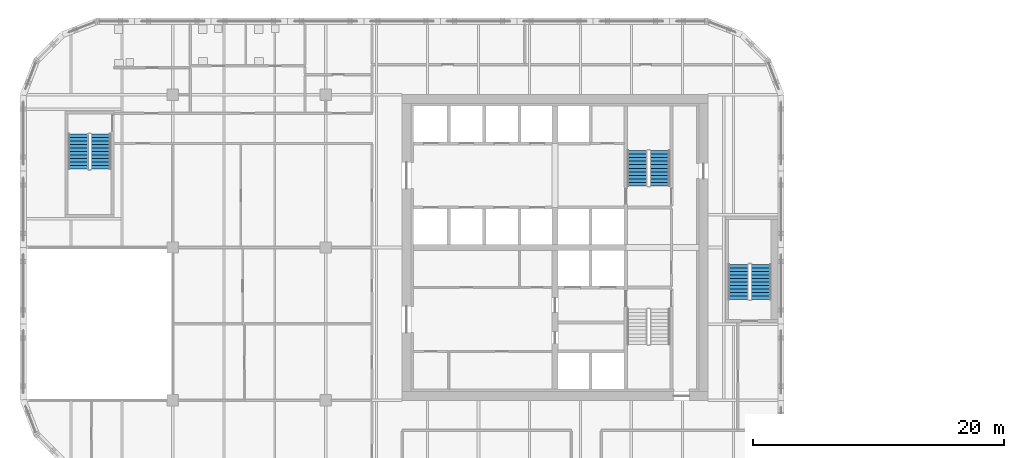
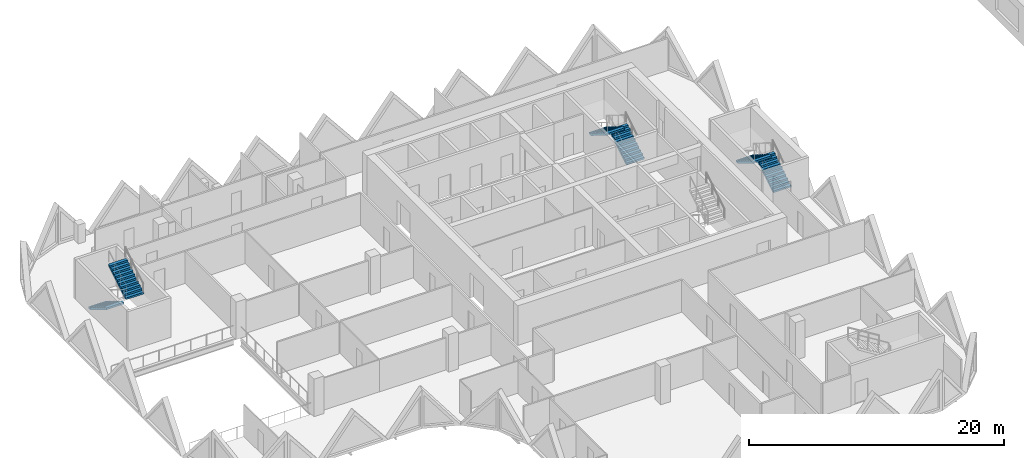
# One storey, part 14 of 17: 6 stair flights, 3 elements without a shape of their own.
"""IFC4 building model written with IfcOpenShell, lengths in metres."""

import ifcopenshell
import ifcopenshell.guid

model = None  # the IFC model being written
_history = None  # IfcOwnerHistory: only IFC2X3 demands one
_inside = {}  # id of a spatial element -> (the spatial element, [elements in it])
_under = {}  # id of a project, library or spatial element -> (it, [spatial elements below it])
_declared = {}  # id of a project -> (the project, [libraries it declares])
_typed = {}  # id of a type object -> (the type object, [elements of that type])
_made_of = {}  # id of a material, layer set ... -> (it, [elements and type objects made of it])


def new_model(schema):
    """Start an empty IFC model of exactly this schema.

    Asked for "IFC4X3", IfcOpenShell would pick the latest addendum, in which some entities
    have other attributes; the version numbers below select the first issue.
    IFC2X3 requires an IfcOwnerHistory on every rooted entity: one is made here for all.
    """
    global model, _history
    if schema == "IFC4X3":
        model = ifcopenshell.file(schema_version=(4, 3, 0, 0))
    else:
        model = ifcopenshell.file(schema=schema)
    _inside.clear()
    _under.clear()
    _declared.clear()
    _typed.clear()
    _made_of.clear()
    _history = None
    if model.schema == "IFC2X3":
        org = make("IfcOrganization", Name="unknown")
        user = make(
            "IfcPersonAndOrganization",
            ThePerson=make("IfcPerson", FamilyName="unknown"),
            TheOrganization=org,
        )
        app = make(
            "IfcApplication",
            ApplicationDeveloper=org,
            Version="unknown",
            ApplicationFullName="unknown",
            ApplicationIdentifier="unknown",
        )
        _history = make(
            "IfcOwnerHistory",
            OwningUser=user,
            OwningApplication=app,
            ChangeAction="ADDED",
            CreationDate=0,
        )
    return model


def make(cls, **values):
    """One entity of the class cls with the attributes given. An attribute that is None is left unset."""
    return model.create_entity(
        cls, **{name: value for name, value in values.items() if value is not None}
    )


def rooted(cls, **values):
    """An entity with a GlobalId (a new one), such as an element, a storey or a relation."""
    return make(cls, GlobalId=ifcopenshell.guid.new(), OwnerHistory=_history, **values)


def si_unit(unit_type, name, prefix=None):
    """IfcSIUnit, for example si_unit("LENGTHUNIT", "METRE", prefix="MILLI")."""
    return make("IfcSIUnit", UnitType=unit_type, Prefix=prefix, Name=name)


def assignment(units):
    """IfcUnitAssignment: the units of a project."""
    return None if units is None else make("IfcUnitAssignment", Units=units)


def point(xyz):
    """IfcCartesianPoint."""
    return None if xyz is None else make("IfcCartesianPoint", Coordinates=xyz)


def direction(xyz):
    """IfcDirection."""
    return None if xyz is None else make("IfcDirection", DirectionRatios=xyz)


def frame(location, z_axis=None, x_axis=None):
    """IfcAxis2Placement3D, a coordinate frame: its origin and axes. An axis left out is left unset."""
    return make(
        "IfcAxis2Placement3D",
        Location=point(location),
        Axis=direction(z_axis),
        RefDirection=direction(x_axis),
    )


def origin():
    """The frame at (0, 0, 0) with its axes left unset."""
    return frame((0.0, 0.0, 0.0))


def place(relative_to, where):
    """IfcLocalPlacement: puts the frame where relative to a parent placement (None: the world)."""
    return make(
        "IfcLocalPlacement", PlacementRelTo=relative_to, RelativePlacement=where
    )


def context(
    kind, dimensions, precision=None, world=None, true_north=None, identifier=None
):
    """IfcGeometricRepresentationContext, for example the 3D "Model" context."""
    return make(
        "IfcGeometricRepresentationContext",
        ContextIdentifier=identifier,
        ContextType=kind,
        CoordinateSpaceDimension=dimensions,
        Precision=precision,
        WorldCoordinateSystem=world,
        TrueNorth=true_north,
    )


def subcontext(parent, identifier, kind, view, scale=None):
    """IfcGeometricRepresentationSubContext, for example "Body" below "Model"."""
    return make(
        "IfcGeometricRepresentationSubContext",
        ContextIdentifier=identifier,
        ContextType=kind,
        ParentContext=parent,
        TargetScale=scale,
        TargetView=view,
    )


def project(units=None, contexts=None):
    """IfcProject with its units and contexts."""
    return rooted(
        "IfcProject",
        Name="project",
        RepresentationContexts=contexts,
        UnitsInContext=assignment(units),
    )


def spatial(cls, under=None, at=None, **own):
    """A site, building, storey or space (cls), placed at a placement, below another one or the project."""
    s = rooted(cls, ObjectPlacement=at, **own)
    if under is not None:
        _under.setdefault(under.id(), (under, []))[1].append(s)
    return s


def polyline(points):
    """IfcPolyline through the points."""
    return make("IfcPolyline", Points=[point(p) for p in points])


def outline(outer, holes=None, kind="AREA"):
    """IfcArbitraryClosedProfileDef: a profile drawn as a closed curve; with holes, ...WithVoids."""
    if holes is None:
        return make("IfcArbitraryClosedProfileDef", ProfileType=kind, OuterCurve=outer)
    return make(
        "IfcArbitraryProfileDefWithVoids",
        ProfileType=kind,
        OuterCurve=outer,
        InnerCurves=holes,
    )


def extrude(swept, where, along, depth):
    """IfcExtrudedAreaSolid: the profile swept, set in the frame where, extruded along a direction by depth."""
    return make(
        "IfcExtrudedAreaSolid",
        SweptArea=swept,
        Position=where,
        ExtrudedDirection=direction(along),
        Depth=depth,
    )


def shape(context_of_items, identifier, shape_type, items):
    """IfcShapeRepresentation: the items that make up one representation, for example the "Body"."""
    return make(
        "IfcShapeRepresentation",
        ContextOfItems=context_of_items,
        RepresentationIdentifier=identifier,
        RepresentationType=shape_type,
        Items=items,
    )


def material(Name=None, Category=None):
    """IfcMaterial."""
    return make("IfcMaterial", Name=Name, Category=Category)


def made_of(thing, what):
    """Note that an element or type object is made of a material, layer set ...; save() writes the relation."""
    if what is not None:
        _made_of.setdefault(what.id(), (what, []))[1].append(thing)
    return thing


def type_object(cls, material=None, **own):
    """A type object (cls), such as IfcWallType, which elements share."""
    return made_of(rooted(cls, **own), material)


def element(
    cls,
    number,
    at=None,
    inside=None,
    cuts=None,
    type_object=None,
    material=None,
    context=None,
    identifier="Body",
    shape_type=None,
    held_by="IfcProductDefinitionShape",
    body=None,
    shapes=None,
    **own,
):
    """One element of the class cls, such as IfcWall. Its Tag is "e" and its number.

    at: its placement. inside: the storey or other place that contains it. cuts: it is an
    opening in that element (IfcRelVoidsElement). A single representation is given by context,
    identifier, shape_type and body (its items); several are given by shapes. held_by: the class
    of the entity that holds the representations. save() writes the other relations.
    """
    e = rooted(cls, Tag="e%d" % number, ObjectPlacement=at, **own)
    if body is not None:
        shapes = [shape(context, identifier, shape_type, body)]
    if shapes is not None:
        e.Representation = make(held_by, Representations=shapes)
    if inside is not None:
        _inside.setdefault(inside.id(), (inside, []))[1].append(e)
    if cuts is not None:
        rooted(
            "IfcRelVoidsElement", RelatingBuildingElement=cuts, RelatedOpeningElement=e
        )
    if type_object is not None:
        _typed.setdefault(type_object.id(), (type_object, []))[1].append(e)
    return made_of(e, material)


def aggregate(whole, parts):
    """IfcRelAggregates: a whole, such as a stair, and the parts it consists of."""
    return rooted("IfcRelAggregates", RelatingObject=whole, RelatedObjects=parts)


def save(model, path):
    """Write the relations noted so far, then the file.

    IfcRelAggregates (storeys below a building ...), IfcRelContainedInSpatialStructure (elements
    in a storey), IfcRelDefinesByType, IfcRelAssociatesMaterial and IfcRelDeclares: one each for
    every whole, place, type object, material and project.
    """
    for whole, parts in _under.values():
        aggregate(whole, parts)
    for where, things in _inside.values():
        rooted(
            "IfcRelContainedInSpatialStructure",
            RelatedElements=things,
            RelatingStructure=where,
        )
    for kind, things in _typed.values():
        rooted("IfcRelDefinesByType", RelatedObjects=things, RelatingType=kind)
    for what, things in _made_of.values():
        rooted("IfcRelAssociatesMaterial", RelatedObjects=things, RelatingMaterial=what)
    for by, libraries in _declared.values():
        rooted("IfcRelDeclares", RelatingContext=by, RelatedDefinitions=libraries)
    model.write(path)


model = new_model("IFC4")

# Units and contexts
model_context = context("Model", 3, precision=1e-05, world=origin(), true_north=direction((0.0, 1.0)))
body_context = subcontext(model_context, "Body", "Model", "MODEL_VIEW")
ifc_project = project(units=[si_unit("LENGTHUNIT", "METRE"), si_unit("AREAUNIT", "SQUARE_METRE"), si_unit("VOLUMEUNIT", "CUBIC_METRE"), si_unit("PLANEANGLEUNIT", "RADIAN"), si_unit("MASSUNIT", "GRAM", prefix="KILO")], contexts=[model_context])

# Site, building, storey
site_placement = place(None, origin())
site = spatial("IfcSite", under=ifc_project, at=site_placement, CompositionType="ELEMENT")
building_placement = place(site_placement, origin())
building = spatial("IfcBuilding", under=site, at=building_placement, Name="Tessera Gate Towers", CompositionType="ELEMENT")
storey_placement = place(building_placement, frame((0.0, 0.0, 112.60009765625)))
storey = spatial("IfcBuildingStorey", under=building, at=storey_placement, Name="L27", CompositionType="ELEMENT", Elevation=112.60009765625)

# Stair, stair flights
ifc_material_1 = material(Name="Concrete C40/50", Category="concrete")
stair_type_1 = type_object("IfcStairType", Name="EXIT STAIR ST2 1600", PredefinedType="HALF_TURN_STAIR", material=ifc_material_1)
stair_1_placement = place(storey_placement, origin())
stair_1 = element("IfcStair", 1, at=stair_1_placement, inside=storey, type_object=stair_type_1, Name="L27 Protected Exit Stair ST2", PredefinedType="HALF_TURN_STAIR")
ifc_material_2 = material(Name="Concrete C40/50", Category="concrete")
stair_flight_type_1 = type_object("IfcStairFlightType", Name="EXIT STAIR FLIGHT ST2 1600", PredefinedType="STRAIGHT", material=ifc_material_2)
stair_flight_1_placement = place(storey_placement, frame((51.074951171875, 41.52490234375, 0.0), z_axis=(0.0, 0.0, 1.0), x_axis=(0.0, 1.0, 0.0)))
stair_flight_1 = element("IfcStairFlight", 2, at=stair_flight_1_placement, type_object=stair_flight_type_1, Name="ST2 flight 1", NumberOfRisers=11, NumberOfTreads=10, PredefinedType="STRAIGHT", RiserHeight=0.172727273, TreadLength=0.28, context=body_context, shape_type="SweptSolid", body=[
    extrude(outline(polyline([(0.0, 0.0), (0.0, 0.172607421875), (0.280029296875, 0.172607421875), (0.280029296875, 0.345458984375), (0.56005859375, 0.345458984375), (0.56005859375, 0.51806640625), (0.840087890625, 0.51806640625), (0.840087890625, 0.69091796875), (1.1201171875, 0.69091796875), (1.1201171875, 0.863525390625), (1.39990234375, 0.863525390625), (1.39990234375, 1.036376953125), (1.679931640625, 1.036376953125), (1.679931640625, 1.208984375), (1.9599609375, 1.208984375), (1.9599609375, 1.3818359375), (2.239990234375, 1.3818359375), (2.239990234375, 1.554443359375), (2.52001953125, 1.554443359375), (2.52001953125, 1.727294921875), (2.800048828125, 1.727294921875), (2.800048828125, 1.89990234375), (2.800048828125, 1.551025390625), (0.285400390625, 0.0), (0.0, 0.0)])), frame((0.0, 0.800048828125, 0.0), z_axis=(0.0, -1.0, 0.0), x_axis=(1.0, 0.0, 0.0)), (0.0, 0.0, 1.0), 1.60009765625),
])
stair_flight_2_placement = place(storey_placement, frame((49.27490234375, 44.324951171875, 1.89990234375), z_axis=(0.0, 0.0, 1.0), x_axis=(0.0, -1.0, 0.0)))
stair_flight_2 = element("IfcStairFlight", 3, at=stair_flight_2_placement, type_object=stair_flight_type_1, Name="ST2 flight 2", NumberOfRisers=11, NumberOfTreads=10, PredefinedType="STRAIGHT", RiserHeight=0.172727273, TreadLength=0.28, context=body_context, shape_type="SweptSolid", body=[
    extrude(outline(polyline([(0.0, 0.0), (0.0, 0.172607421875), (0.280029296875, 0.172607421875), (0.280029296875, 0.345458984375), (0.56005859375, 0.345458984375), (0.56005859375, 0.51806640625), (0.840087890625, 0.51806640625), (0.840087890625, 0.69091796875), (1.1201171875, 0.69091796875), (1.1201171875, 0.863525390625), (1.39990234375, 0.863525390625), (1.39990234375, 1.036376953125), (1.679931640625, 1.036376953125), (1.679931640625, 1.208984375), (1.9599609375, 1.208984375), (1.9599609375, 1.3818359375), (2.239990234375, 1.3818359375), (2.239990234375, 1.554443359375), (2.52001953125, 1.554443359375), (2.52001953125, 1.727294921875), (2.800048828125, 1.727294921875), (2.800048828125, 1.89990234375), (2.800048828125, 1.551025390625), (0.285400390625, 0.0), (0.0, 0.0)])), frame((0.0, 0.800048828125, 0.0), z_axis=(0.0, -1.0, 0.0), x_axis=(1.0, 0.0, 0.0)), (0.0, 0.0, 1.0), 1.60009765625),
])
aggregate(stair_1, [stair_flight_1, stair_flight_2])

ifc_material_3 = material(Name="Concrete C40/50", Category="concrete")
stair_type_2 = type_object("IfcStairType", Name="EXIT STAIR ST3 1600", PredefinedType="HALF_TURN_STAIR", material=ifc_material_3)
stair_2_placement = place(storey_placement, origin())
stair_2 = element("IfcStair", 4, at=stair_2_placement, inside=storey, type_object=stair_type_2, Name="L27 West Exit Stair ST3", PredefinedType="HALF_TURN_STAIR")
ifc_material_4 = material(Name="Concrete C40/50", Category="concrete")
stair_flight_type_2 = type_object("IfcStairFlightType", Name="EXIT STAIR FLIGHT ST3 1600", PredefinedType="STRAIGHT", material=ifc_material_4)
stair_flight_3_placement = place(storey_placement, frame((4.64990234375, 45.64990234375, 0.0), z_axis=(0.0, 0.0, 1.0), x_axis=(0.0, -1.0, 0.0)))
stair_flight_3 = element("IfcStairFlight", 5, at=stair_flight_3_placement, type_object=stair_flight_type_2, Name="ST3 flight 1", NumberOfRisers=11, NumberOfTreads=10, PredefinedType="STRAIGHT", RiserHeight=0.172727273, TreadLength=0.28, context=body_context, shape_type="SweptSolid", body=[
    extrude(outline(polyline([(0.0, 0.0), (0.0, 0.172607421875), (0.280029296875, 0.172607421875), (0.280029296875, 0.345458984375), (0.56005859375, 0.345458984375), (0.56005859375, 0.51806640625), (0.840087890625, 0.51806640625), (0.840087890625, 0.69091796875), (1.1201171875, 0.69091796875), (1.1201171875, 0.863525390625), (1.39990234375, 0.863525390625), (1.39990234375, 1.036376953125), (1.679931640625, 1.036376953125), (1.679931640625, 1.208984375), (1.9599609375, 1.208984375), (1.9599609375, 1.3818359375), (2.239990234375, 1.3818359375), (2.239990234375, 1.554443359375), (2.52001953125, 1.554443359375), (2.52001953125, 1.727294921875), (2.800048828125, 1.727294921875), (2.800048828125, 1.89990234375), (2.800048828125, 1.551025390625), (0.285400390625, 0.0), (0.0, 0.0)])), frame((0.0, 0.800048828125, 0.0), z_axis=(0.0, -1.0, 0.0), x_axis=(1.0, 0.0, 0.0)), (0.0, 0.0, 1.0), 1.60009765625),
])
stair_flight_4_placement = place(storey_placement, frame((6.449951171875, 42.85009765625, 1.89990234375), z_axis=(0.0, 0.0, 1.0), x_axis=(0.0, 1.0, 0.0)))
stair_flight_4 = element("IfcStairFlight", 6, at=stair_flight_4_placement, type_object=stair_flight_type_2, Name="ST3 flight 2", NumberOfRisers=11, NumberOfTreads=10, PredefinedType="STRAIGHT", RiserHeight=0.172727273, TreadLength=0.28, context=body_context, shape_type="SweptSolid", body=[
    extrude(outline(polyline([(0.0, 0.0), (0.0, 0.172607421875), (0.280029296875, 0.172607421875), (0.280029296875, 0.345458984375), (0.56005859375, 0.345458984375), (0.56005859375, 0.51806640625), (0.840087890625, 0.51806640625), (0.840087890625, 0.69091796875), (1.1201171875, 0.69091796875), (1.1201171875, 0.863525390625), (1.39990234375, 0.863525390625), (1.39990234375, 1.036376953125), (1.679931640625, 1.036376953125), (1.679931640625, 1.208984375), (1.9599609375, 1.208984375), (1.9599609375, 1.3818359375), (2.239990234375, 1.3818359375), (2.239990234375, 1.554443359375), (2.52001953125, 1.554443359375), (2.52001953125, 1.727294921875), (2.800048828125, 1.727294921875), (2.800048828125, 1.89990234375), (2.800048828125, 1.551025390625), (0.285400390625, 0.0), (0.0, 0.0)])), frame((0.0, 0.800048828125, 0.0), z_axis=(0.0, -1.0, 0.0), x_axis=(1.0, 0.0, 0.0)), (0.0, 0.0, 1.0), 1.60009765625),
])
aggregate(stair_2, [stair_flight_3, stair_flight_4])

ifc_material_5 = material(Name="Concrete C40/50", Category="concrete")
stair_type_3 = type_object("IfcStairType", Name="EXIT STAIR ST5 1600", PredefinedType="HALF_TURN_STAIR", material=ifc_material_5)
stair_3_placement = place(storey_placement, origin())
stair_3 = element("IfcStair", 7, at=stair_3_placement, inside=storey, type_object=stair_type_3, Name="L27 East Exit Stair ST5", PredefinedType="HALF_TURN_STAIR")
ifc_material_6 = material(Name="Concrete C40/50", Category="concrete")
stair_flight_type_3 = type_object("IfcStairFlightType", Name="EXIT STAIR FLIGHT ST5 1600", PredefinedType="STRAIGHT", material=ifc_material_6)
stair_flight_5_placement = place(storey_placement, frame((59.14990234375, 32.449951171875, 0.0), z_axis=(0.0, 0.0, 1.0), x_axis=(0.0, 1.0, 0.0)))
stair_flight_5 = element("IfcStairFlight", 8, at=stair_flight_5_placement, type_object=stair_flight_type_3, Name="ST5 flight 1", NumberOfRisers=11, NumberOfTreads=10, PredefinedType="STRAIGHT", RiserHeight=0.172727273, TreadLength=0.28, context=body_context, shape_type="SweptSolid", body=[
    extrude(outline(polyline([(0.0, 0.0), (0.0, 0.172607421875), (0.280029296875, 0.172607421875), (0.280029296875, 0.345458984375), (0.56005859375, 0.345458984375), (0.56005859375, 0.51806640625), (0.840087890625, 0.51806640625), (0.840087890625, 0.69091796875), (1.1201171875, 0.69091796875), (1.1201171875, 0.863525390625), (1.39990234375, 0.863525390625), (1.39990234375, 1.036376953125), (1.679931640625, 1.036376953125), (1.679931640625, 1.208984375), (1.9599609375, 1.208984375), (1.9599609375, 1.3818359375), (2.239990234375, 1.3818359375), (2.239990234375, 1.554443359375), (2.52001953125, 1.554443359375), (2.52001953125, 1.727294921875), (2.800048828125, 1.727294921875), (2.800048828125, 1.89990234375), (2.800048828125, 1.551025390625), (0.285400390625, 0.0), (0.0, 0.0)])), frame((0.0, 0.800048828125, 0.0), z_axis=(0.0, -1.0, 0.0), x_axis=(1.0, 0.0, 0.0)), (0.0, 0.0, 1.0), 1.60009765625),
])
stair_flight_6_placement = place(storey_placement, frame((57.35009765625, 35.25, 1.89990234375), z_axis=(0.0, 0.0, 1.0), x_axis=(0.0, -1.0, 0.0)))
stair_flight_6 = element("IfcStairFlight", 9, at=stair_flight_6_placement, type_object=stair_flight_type_3, Name="ST5 flight 2", NumberOfRisers=11, NumberOfTreads=10, PredefinedType="STRAIGHT", RiserHeight=0.172727273, TreadLength=0.28, context=body_context, shape_type="SweptSolid", body=[
    extrude(outline(polyline([(0.0, 0.0), (0.0, 0.172607421875), (0.280029296875, 0.172607421875), (0.280029296875, 0.345458984375), (0.56005859375, 0.345458984375), (0.56005859375, 0.51806640625), (0.840087890625, 0.51806640625), (0.840087890625, 0.69091796875), (1.1201171875, 0.69091796875), (1.1201171875, 0.863525390625), (1.39990234375, 0.863525390625), (1.39990234375, 1.036376953125), (1.679931640625, 1.036376953125), (1.679931640625, 1.208984375), (1.9599609375, 1.208984375), (1.9599609375, 1.3818359375), (2.239990234375, 1.3818359375), (2.239990234375, 1.554443359375), (2.52001953125, 1.554443359375), (2.52001953125, 1.727294921875), (2.800048828125, 1.727294921875), (2.800048828125, 1.89990234375), (2.800048828125, 1.551025390625), (0.285400390625, 0.0), (0.0, 0.0)])), frame((0.0, 0.800048828125, 0.0), z_axis=(0.0, -1.0, 0.0), x_axis=(1.0, 0.0, 0.0)), (0.0, 0.0, 1.0), 1.60009765625),
])
aggregate(stair_3, [stair_flight_5, stair_flight_6])

save(model, "model.ifc")
